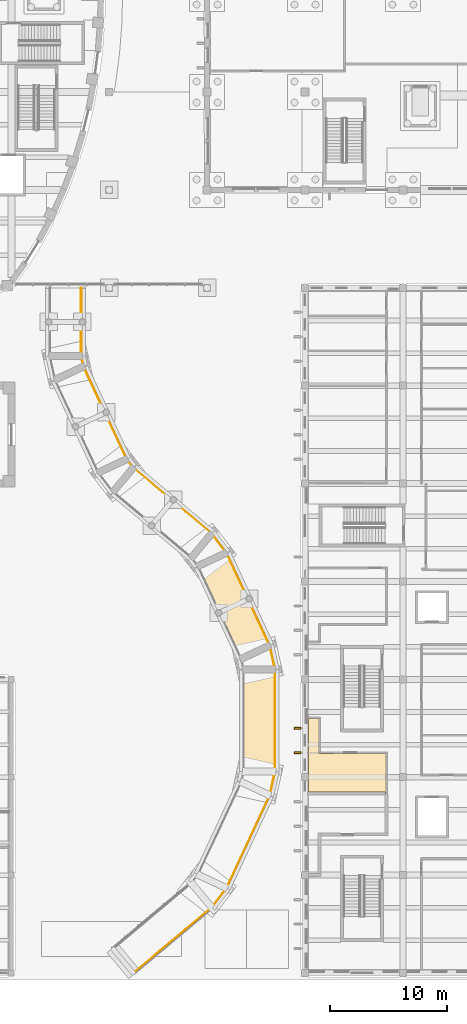
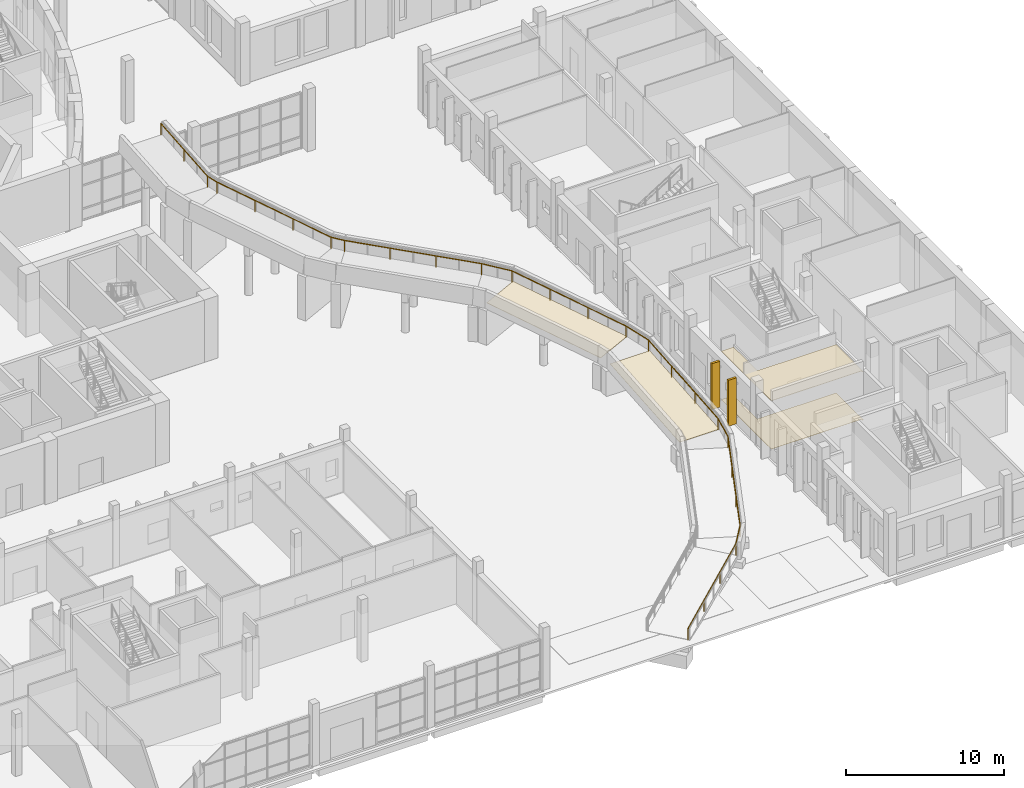
# One storey, part 88 of 110: 6 coverings, 1 railing.
"""IFC4 building model written with IfcOpenShell, lengths in metres."""

from ifc_helpers import new_model, si_unit, direction, frame, origin, origin_2d, place, context, subcontext, project, spatial, polyline, circle, outline, extrude, material, layer, layer_set, type_object, element, save


model = new_model("IFC4")

# Units and contexts
model_context = context("Model", 3, precision=1e-05, world=origin(), true_north=direction((0.0, 1.0)))
body_context = subcontext(model_context, "Body", "Model", "MODEL_VIEW")
ifc_project = project(units=[si_unit("LENGTHUNIT", "METRE"), si_unit("AREAUNIT", "SQUARE_METRE"), si_unit("VOLUMEUNIT", "CUBIC_METRE"), si_unit("PLANEANGLEUNIT", "RADIAN"), si_unit("MASSUNIT", "GRAM", prefix="KILO")], contexts=[model_context])

# Site, building, storey
site_placement = place(None, origin())
site = spatial("IfcSite", under=ifc_project, at=site_placement, CompositionType="ELEMENT")
building_placement = place(site_placement, origin())
building = spatial("IfcBuilding", under=site, at=building_placement, Name="Larchfold Concert Hall", CompositionType="ELEMENT")
storey_placement = place(building_placement, origin())
storey = spatial("IfcBuildingStorey", under=building, at=storey_placement, Name="L00", CompositionType="ELEMENT", Elevation=0.0)

# Coverings
ifc_material_1 = material(Name="Plasterboard ceiling lining")
ifc_layer_1 = layer(ifc_material_1, 0.030029296875)
ifc_layer_set_1 = layer_set([ifc_layer_1], Name="Plasterboard ceiling lining")
covering_type_1 = type_object("IfcCoveringType", Name="Ceiling suspended plasterboard 30", PredefinedType="CEILING", material=ifc_layer_set_1)
covering_1_placement = place(storey_placement, frame((0.0, 0.0, 3.7099609375)))
element("IfcCovering", 1, at=covering_1_placement, inside=storey, type_object=covering_type_1, Name="Ceiling Dressing Room 01", PredefinedType="CEILING", context=body_context, shape_type="SweptSolid", body=[
    extrude(outline(polyline([(85.78857421875, 22.429443359375), (85.849853515625, 22.429443359375), (84.900146484375, 22.4375), (84.900146484375, 16.125), (91.47509765625, 16.125), (91.47509765625, 16.0), (91.53759765625, 16.0), (91.536376953125, 19.4345703125), (85.78857421875, 19.4384765625), (85.78857421875, 22.429443359375)])), origin(), (0.0, 0.0, 1.0), 0.030029296875),
])
ifc_material_2 = material(Name="Linoleum sheet")
ifc_layer_2 = layer(ifc_material_2, 0.02001953125)
ifc_layer_set_2 = layer_set([ifc_layer_2], Name="Linoleum sheet")
covering_type_2 = type_object("IfcCoveringType", Name="Floor finish vinyl 20", PredefinedType="FLOORING", material=ifc_layer_set_2)
covering_2_placement = place(storey_placement, origin())
element("IfcCovering", 2, at=covering_2_placement, inside=storey, type_object=covering_type_2, Name="Floor finish Dressing Room 01", PredefinedType="FLOORING", context=body_context, shape_type="SweptSolid", body=[
    extrude(outline(polyline([(85.78857421875, 22.429443359375), (85.849853515625, 22.429443359375), (84.900146484375, 22.4375), (84.900146484375, 16.125), (91.47509765625, 16.125), (91.47509765625, 16.0), (91.53759765625, 16.0), (91.536376953125, 19.4345703125), (85.78857421875, 19.4384765625), (85.78857421875, 22.429443359375)])), origin(), (0.0, 0.0, 1.0), 0.02001953125),
])
ifc_material_3 = material(Name="Glulam GL30c", Category="wood")
ifc_layer_3 = layer(ifc_material_3, 0.159912109375)
ifc_layer_set_3 = layer_set([ifc_layer_3], Name="Glulam GL30c")
covering_type_3 = type_object("IfcCoveringType", Name="Glulam fin 160x600", PredefinedType="CLADDING", material=ifc_layer_set_3)
covering_3_placement = place(storey_placement, frame((0.0, 0.0, 0.199951171875)))
element("IfcCovering", 3, at=covering_3_placement, inside=storey, type_object=covering_type_3, Name="Glulam fin FN-L00-044", PredefinedType="CLADDING", context=body_context, shape_type="SweptSolid", body=[
    extrude(outline(polyline([(84.275146484375, 19.419921875), (84.275146484375, 19.580078125), (83.675048828125, 19.580078125), (83.675048828125, 19.419921875), (84.275146484375, 19.419921875)])), origin(), (0.0, 0.0, 1.0), 3.5400390625),
])
covering_4_placement = place(storey_placement, frame((0.0, 0.0, 0.199951171875)))
element("IfcCovering", 4, at=covering_4_placement, inside=storey, type_object=covering_type_3, Name="Glulam fin FN-L00-045", PredefinedType="CLADDING", context=body_context, shape_type="SweptSolid", body=[
    extrude(outline(polyline([(84.275146484375, 21.52001953125), (84.275146484375, 21.679931640625), (83.675048828125, 21.679931640625), (83.675048828125, 21.52001953125), (84.275146484375, 21.52001953125)])), origin(), (0.0, 0.0, 1.0), 3.5400390625),
])

# Railing
ifc_material_4 = material(Name="Stainless steel handrail", Category="steel")
railing_type = type_object("IfcRailingType", Name="Ramp handrail 900", PredefinedType="HANDRAIL", material=ifc_material_4)
railing_placement = place(storey_placement, frame((69.867919921875, 0.5869140625, 0.0)))
element("IfcRailing", 5, at=railing_placement, inside=storey, type_object=railing_type, Name="Ramp handrail right", PredefinedType="HANDRAIL", context=body_context, shape_type="SweptSolid", body=[
    extrude(circle(Radius=0.02392578125, at=origin_2d()), frame((0.0, 0.0, 0.8759765625), z_axis=(0.763476239199, 0.640648560791, 0.081691209658), x_axis=(-0.642796989134, 0.76603657273, 0.0)), (0.0, 0.0, 1.0), 8.813232421875),
    extrude(circle(Radius=0.02392578125, at=origin_2d()), frame((6.728759765625, 5.646240234375, 1.595703125), z_axis=(0.608827356361, 0.793302748102, 0.0), x_axis=(-0.793302748102, 0.608827356361, 0.0)), (0.0, 0.0, 1.0), 2.08447265625),
    extrude(circle(Radius=0.02392578125, at=origin_2d()), frame((7.997802734375, 7.2998046875, 1.595703125), z_axis=(0.42119755292, 0.903282460087, 0.081690995302), x_axis=(-0.906311620726, 0.42261004027, 0.0)), (0.0, 0.0, 1.0), 8.813232421875),
    extrude(circle(Radius=0.02392578125, at=origin_2d()), frame((11.7099609375, 15.2607421875, 2.31591796875), z_axis=(0.216322763708, 0.976321904856, 0.0), x_axis=(-0.976321904856, 0.216322763708, 0.0)), (0.0, 0.0, 1.0), 2.08447265625),
    extrude(circle(Radius=0.02392578125, at=origin_2d()), frame((12.160888671875, 17.2958984375, 2.31591796875), z_axis=(0.0, 0.996657743074, 0.081690532931), x_axis=(-1.0, 0.0, 0.0)), (0.0, 0.0, 1.0), 8.8134765625),
    extrude(circle(Radius=0.02392578125, at=origin_2d()), frame((12.160888671875, 26.079833984375, 3.03564453125), z_axis=(-0.216347502531, 0.976316423169, 0.0), x_axis=(-0.976316423169, -0.216347502531, 0.0)), (0.0, 0.0, 1.0), 2.084228515625),
    extrude(circle(Radius=0.02392578125, at=origin_2d()), frame((11.7099609375, 28.11474609375, 3.03564453125), z_axis=(-0.42119755292, 0.903282460087, 0.081690995302), x_axis=(-0.906311620726, -0.42261004027, 0.0)), (0.0, 0.0, 1.0), 8.813232421875),
    extrude(circle(Radius=0.02392578125, at=origin_2d()), frame((7.997802734375, 36.07568359375, 3.755859375), z_axis=(-0.608827356361, 0.793302748102, 0.0), x_axis=(-0.793302748102, -0.608827356361, 0.0)), (0.0, 0.0, 1.0), 2.08447265625),
    extrude(circle(Radius=0.02392578125, at=origin_2d()), frame((6.728759765625, 37.729248046875, 3.755859375), z_axis=(-0.763460962088, 0.640663442225, 0.081717275794), x_axis=(-0.642813298681, -0.766022886759, 0.0)), (0.0, 0.0, 1.0), 8.8134765625),
    extrude(circle(Radius=0.02392578125, at=origin_2d()), frame((0.0, 43.375732421875, 4.47607421875), z_axis=(-0.608795367761, 0.793327297017, 0.0), x_axis=(-0.793327297017, -0.608795367761, 0.0)), (0.0, 0.0, 1.0), 0.91552734375),
    extrude(circle(Radius=0.02392578125, at=origin_2d()), frame((-0.557373046875, 44.10205078125, 4.47607421875), z_axis=(-0.421220339368, 0.903271920696, 0.081690042141), x_axis=(-0.906300974949, -0.422632870003, 0.0)), (0.0, 0.0, 1.0), 8.8134765625),
    extrude(circle(Radius=0.02392578125, at=origin_2d()), frame((-4.269775390625, 52.06298828125, 5.19580078125), z_axis=(-0.216478783704, 0.976287322567, 0.0), x_axis=(-0.976287322567, -0.216478783704, 0.0)), (0.0, 0.0, 1.0), 0.915771484375),
    extrude(circle(Radius=0.02392578125, at=origin_2d()), frame((-4.468017578125, 52.95703125, 5.19580078125), z_axis=(0.0, 0.996657743074, 0.081690532931), x_axis=(-1.0, 0.0, 0.0)), (0.0, 0.0, 1.0), 5.87548828125),
    extrude(circle(Radius=0.01513671875, at=origin_2d()), origin(), (0.0, 0.0, 1.0), 0.851806640625),
    extrude(circle(Radius=0.01513671875, at=origin_2d()), frame((2.242919921875, 1.882080078125, 0.239990234375)), (0.0, 0.0, 1.0), 0.851806640625),
    extrude(circle(Radius=0.01513671875, at=origin_2d()), frame((4.48583984375, 3.76416015625, 0.47998046875)), (0.0, 0.0, 1.0), 0.851806640625),
    extrude(circle(Radius=0.01513671875, at=origin_2d()), frame((6.728759765625, 5.646240234375, 0.719970703125)), (0.0, 0.0, 1.0), 0.851806640625),
    extrude(circle(Radius=0.01513671875, at=origin_2d()), frame((7.997802734375, 7.2998046875, 0.719970703125)), (0.0, 0.0, 1.0), 0.851806640625),
    extrude(circle(Radius=0.01513671875, at=origin_2d()), frame((9.235107421875, 9.953369140625, 0.9599609375)), (0.0, 0.0, 1.0), 0.851806640625),
    extrude(circle(Radius=0.01513671875, at=origin_2d()), frame((10.47265625, 12.607177734375, 1.199951171875)), (0.0, 0.0, 1.0), 0.851806640625),
    extrude(circle(Radius=0.01513671875, at=origin_2d()), frame((11.7099609375, 15.2607421875, 1.43994140625)), (0.0, 0.0, 1.0), 0.851806640625),
    extrude(circle(Radius=0.01513671875, at=origin_2d()), frame((12.160888671875, 17.2958984375, 1.43994140625)), (0.0, 0.0, 1.0), 0.851806640625),
    extrude(circle(Radius=0.01513671875, at=origin_2d()), frame((12.160888671875, 20.223876953125, 1.679931640625)), (0.0, 0.0, 1.0), 0.851806640625),
    extrude(circle(Radius=0.01513671875, at=origin_2d()), frame((12.160888671875, 23.15185546875, 1.919921875)), (0.0, 0.0, 1.0), 0.851806640625),
    extrude(circle(Radius=0.01513671875, at=origin_2d()), frame((12.160888671875, 26.079833984375, 2.159912109375)), (0.0, 0.0, 1.0), 0.851806640625),
    extrude(circle(Radius=0.01513671875, at=origin_2d()), frame((11.7099609375, 28.11474609375, 2.159912109375)), (0.0, 0.0, 1.0), 0.851806640625),
    extrude(circle(Radius=0.01513671875, at=origin_2d()), frame((10.47265625, 30.768310546875, 2.39990234375)), (0.0, 0.0, 1.0), 0.851806640625),
    extrude(circle(Radius=0.01513671875, at=origin_2d()), frame((9.235107421875, 33.422119140625, 2.639892578125)), (0.0, 0.0, 1.0), 0.851806640625),
    extrude(circle(Radius=0.01513671875, at=origin_2d()), frame((7.997802734375, 36.07568359375, 2.8798828125)), (0.0, 0.0, 1.0), 0.851806640625),
    extrude(circle(Radius=0.01513671875, at=origin_2d()), frame((6.728759765625, 37.729248046875, 2.8798828125)), (0.0, 0.0, 1.0), 0.851806640625),
    extrude(circle(Radius=0.01513671875, at=origin_2d()), frame((4.48583984375, 39.611328125, 3.119873046875)), (0.0, 0.0, 1.0), 0.851806640625),
    extrude(circle(Radius=0.01513671875, at=origin_2d()), frame((2.242919921875, 41.49365234375, 3.360107421875)), (0.0, 0.0, 1.0), 0.851806640625),
    extrude(circle(Radius=0.01513671875, at=origin_2d()), frame((0.0, 43.375732421875, 3.60009765625)), (0.0, 0.0, 1.0), 0.851806640625),
    extrude(circle(Radius=0.01513671875, at=origin_2d()), frame((-0.557373046875, 44.10205078125, 3.60009765625)), (0.0, 0.0, 1.0), 0.851806640625),
    extrude(circle(Radius=0.01513671875, at=origin_2d()), frame((-1.794921875, 46.755615234375, 3.840087890625)), (0.0, 0.0, 1.0), 0.851806640625),
    extrude(circle(Radius=0.01513671875, at=origin_2d()), frame((-3.0322265625, 49.409423828125, 4.080078125)), (0.0, 0.0, 1.0), 0.851806640625),
    extrude(circle(Radius=0.01513671875, at=origin_2d()), frame((-4.269775390625, 52.06298828125, 4.320068359375)), (0.0, 0.0, 1.0), 0.851806640625),
    extrude(circle(Radius=0.01513671875, at=origin_2d()), frame((-4.468017578125, 52.95703125, 4.320068359375)), (0.0, 0.0, 1.0), 0.851806640625),
    extrude(circle(Radius=0.01513671875, at=origin_2d()), frame((-4.468017578125, 55.885009765625, 4.56005859375)), (0.0, 0.0, 1.0), 0.851806640625),
    extrude(circle(Radius=0.01513671875, at=origin_2d()), frame((-4.468017578125, 58.81298828125, 4.800048828125)), (0.0, 0.0, 1.0), 0.851806640625),
])

# Coverings
ifc_material_5 = material(Name="Non-slip broom-finished concrete topping", Category="concrete")
ifc_layer_4 = layer(ifc_material_5, 0.030029296875)
ifc_layer_set_4 = layer_set([ifc_layer_4], Name="Non-slip broom-finished concrete topping")
covering_type_4 = type_object("IfcCoveringType", Name="Ramp surface non-slip 30", PredefinedType="FLOORING", material=ifc_layer_set_4)
covering_5_placement = place(storey_placement, frame((79.22900390625, 17.8828125, 1.469970703125), z_axis=(0.0, -0.081690532931, 0.996657743074), x_axis=(0.0, 0.996657743074, 0.081690532931)))
element("IfcCovering", 6, at=covering_5_placement, inside=storey, type_object=covering_type_4, Name="Ramp surface RF03", PredefinedType="FLOORING", context=body_context, shape_type="SweptSolid", body=[
    extrude(outline(polyline([(0.0, 0.0), (8.813392167889305, 0.0), (8.813392167889305, -2.8999023437500004), (0.0, -2.8999023437500004), (0.0, 0.0)])), origin(), (0.0, 0.0, -1.0), 0.030029296875),
])
covering_6_placement = place(storey_placement, frame((79.0400390625, 27.518310546875, 2.18994140625), z_axis=(0.034522591169, -0.074037891739, 0.996657705176), x_axis=(-0.42119755292, 0.903282460087, 0.081690995302)))
element("IfcCovering", 7, at=covering_6_placement, inside=storey, type_object=covering_type_4, Name="Ramp surface RF04", PredefinedType="FLOORING", context=body_context, shape_type="SweptSolid", body=[
    extrude(outline(polyline([(0.0, 0.0), (8.813342284133345, 3.193153274888734e-16), (8.813309348317318, -2.9001106716056304), (-3.29358160273685e-05, -2.900110671605631), (0.0, 0.0)])), origin(), (0.0, 0.0, -1.0), 0.030029296875),
])

save(model, "model.ifc")
